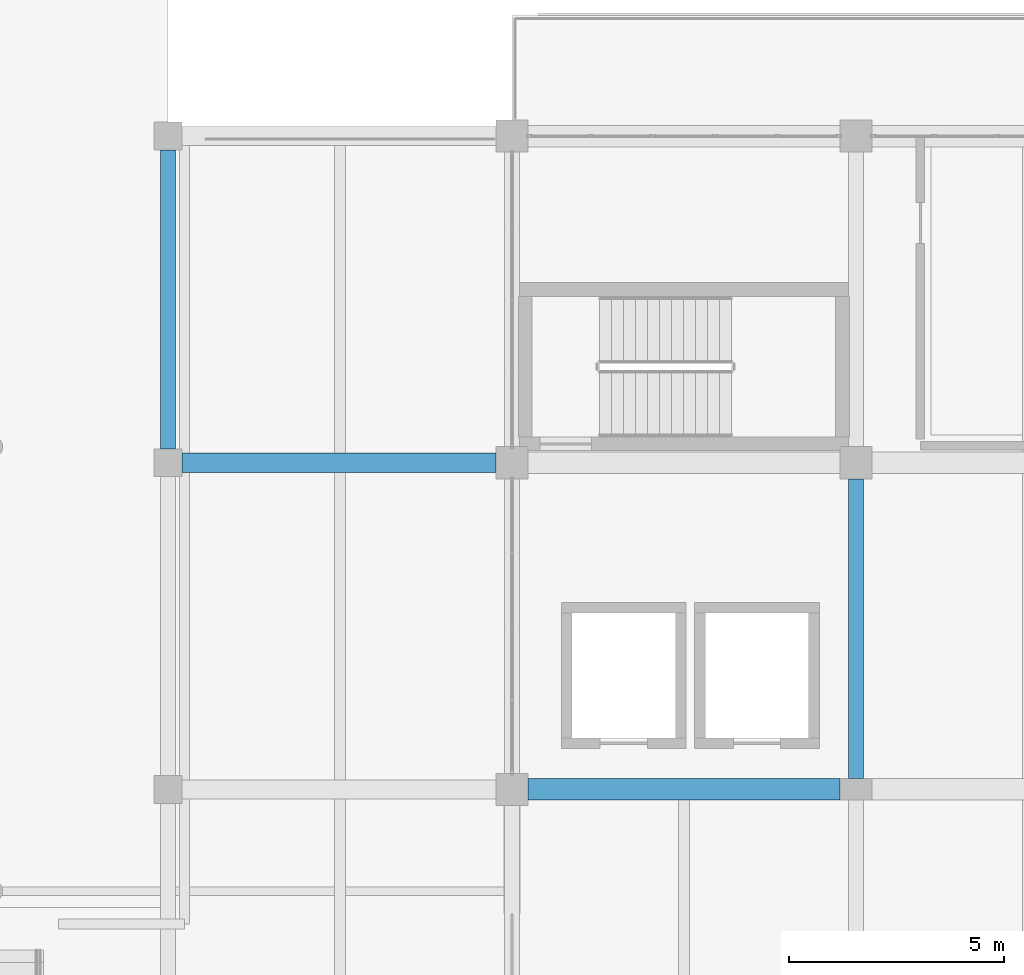
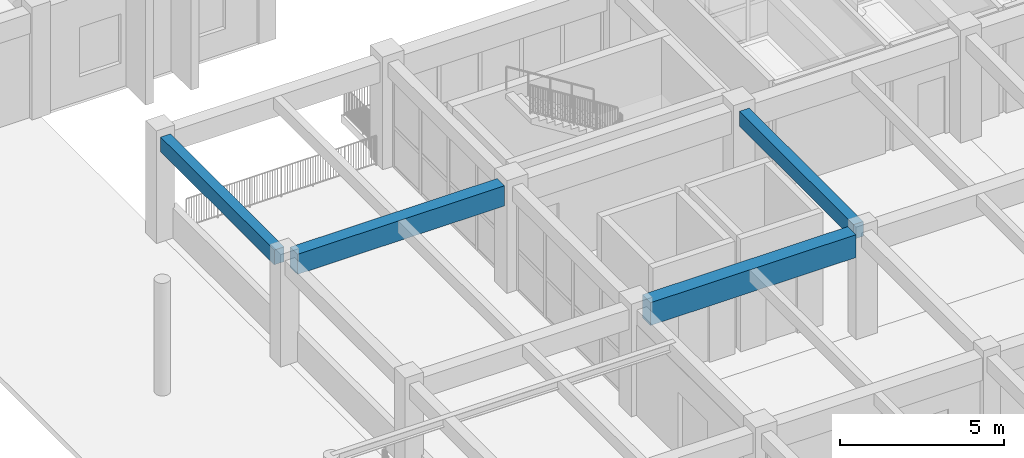
# One storey, part 10 of 63: 4 beams.
"""IFC4 building model written with IfcOpenShell, lengths in metres."""

from ifc_helpers import new_model, si_unit, direction, frame, origin, origin_2d, place, context, subcontext, project, spatial, rectangle, extrude, material, material_profile, profile_set, type_object, element, save


model = new_model("IFC4")

# Units and contexts
model_context = context("Model", 3, precision=1e-05, world=origin(), true_north=direction((0.0, 1.0)))
body_context = subcontext(model_context, "Body", "Model", "MODEL_VIEW")
ifc_project = project(units=[si_unit("LENGTHUNIT", "METRE"), si_unit("AREAUNIT", "SQUARE_METRE"), si_unit("VOLUMEUNIT", "CUBIC_METRE"), si_unit("PLANEANGLEUNIT", "RADIAN"), si_unit("MASSUNIT", "GRAM", prefix="KILO")], contexts=[model_context])

# Site, building, storey
site_placement = place(None, origin())
site = spatial("IfcSite", under=ifc_project, at=site_placement, CompositionType="ELEMENT")
building_placement = place(site_placement, origin())
building = spatial("IfcBuilding", under=site, at=building_placement, Name="Zantavel Square City Hall", CompositionType="ELEMENT")
storey_placement = place(building_placement, frame((0.0, 0.0, 14.699951171875)))
storey = spatial("IfcBuildingStorey", under=building, at=storey_placement, Name="L04", CompositionType="ELEMENT", Elevation=14.699951171875)

# Beams
ifc_material_1 = material(Name="Concrete C40/50", Category="concrete")
ifc_material_profile_1 = material_profile(ifc_material_1, rectangle(XDim=0.5, YDim=0.85009765625, at=origin_2d()), Name="RC 500x850")
ifc_profile_set_1 = profile_set([ifc_material_profile_1], Name="Concrete C40/50")
beam_type_1 = type_object("IfcBeamType", Name="Council Chamber Girder RC 500x850 C40/50", PredefinedType="BEAM", material=ifc_profile_set_1)
beam_1_placement = place(storey_placement, frame((64.375, 53.199951171875, 3.4951171875), z_axis=(1.0, 0.0, 0.0), x_axis=(0.0, 1.0, 0.0)))
element("IfcBeam", 1, at=beam_1_placement, inside=storey, type_object=beam_type_1, Name="L04 Girder BMX-L04-0640-0532", PredefinedType="BEAM", context=body_context, shape_type="SweptSolid", body=[
    extrude(rectangle(XDim=0.5, YDim=0.85009765625, at=origin_2d()), origin(), (0.0, 0.0, 1.0), 7.25),
])
ifc_material_2 = material(Name="Concrete C35/45", Category="concrete")
ifc_material_profile_2 = material_profile(ifc_material_2, rectangle(XDim=0.449951171875, YDim=0.75, at=origin_2d()), Name="RC 450x750")
ifc_profile_set_2 = profile_set([ifc_material_profile_2], Name="Concrete C35/45")
beam_type_2 = type_object("IfcBeamType", Name="Primary Girder RC 450x750 C35/45", PredefinedType="BEAM", material=ifc_profile_set_2)
beam_2_placement = place(storey_placement, frame((56.324951171875, 60.800048828125, 3.545166015625), z_axis=(1.0, 0.0, 0.0), x_axis=(0.0, 1.0, 0.0)))
element("IfcBeam", 2, at=beam_2_placement, inside=storey, type_object=beam_type_2, Name="L04 Girder BMX-L04-0560-0608", PredefinedType="BEAM", context=body_context, shape_type="SweptSolid", body=[
    extrude(rectangle(XDim=0.449951171875, YDim=0.75, at=origin_2d()), origin(), (0.0, 0.0, 1.0), 7.300048828125),
])
ifc_material_profile_3 = material_profile(ifc_material_2, rectangle(XDim=0.35009765625, YDim=0.550048828125, at=origin_2d()), Name="RC 350x550")
ifc_profile_set_3 = profile_set([ifc_material_profile_3], Name="Concrete C35/45")
beam_type_3 = type_object("IfcBeamType", Name="Secondary Beam RC 350x550 C35/45", PredefinedType="BEAM", material=ifc_profile_set_3)
beam_3_placement = place(storey_placement, frame((56.0, 61.125, 3.64501953125), z_axis=(0.0, 1.0, 0.0), x_axis=(-1.0, 0.0, 0.0)))
element("IfcBeam", 3, at=beam_3_placement, inside=storey, type_object=beam_type_3, Name="L04 Beam BMY-L04-0560-0608", PredefinedType="BEAM", context=body_context, shape_type="SweptSolid", body=[
    extrude(rectangle(XDim=0.35009765625, YDim=0.550048828125, at=origin_2d()), origin(), (0.0, 0.0, 1.0), 6.949951171875),
])
beam_4_placement = place(storey_placement, frame((72.0, 53.449951171875, 3.64501953125), z_axis=(0.0, 1.0, 0.0), x_axis=(-1.0, 0.0, 0.0)))
element("IfcBeam", 4, at=beam_4_placement, inside=storey, type_object=beam_type_3, Name="L04 Beam BMY-L04-0720-0532", PredefinedType="BEAM", context=body_context, shape_type="SweptSolid", body=[
    extrude(rectangle(XDim=0.35009765625, YDim=0.550048828125, at=origin_2d()), origin(), (0.0, 0.0, 1.0), 6.97509765625),
])

save(model, "model.ifc")
